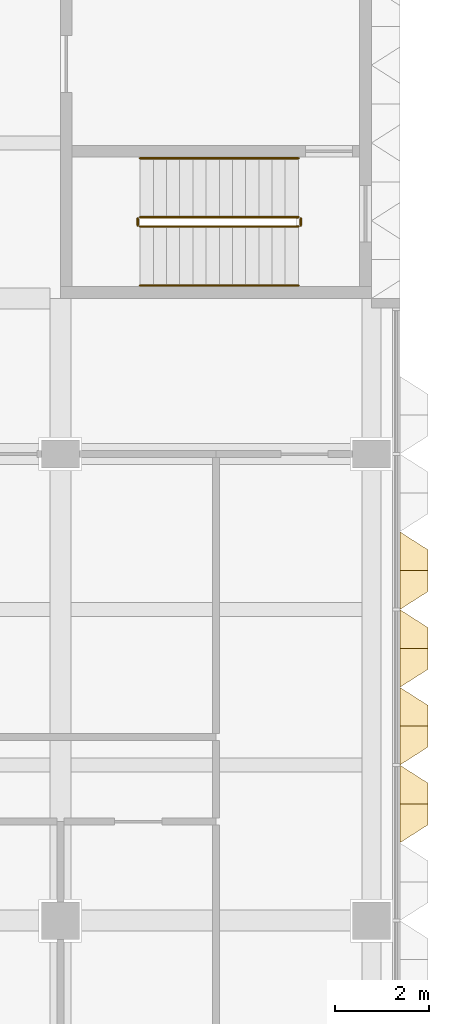
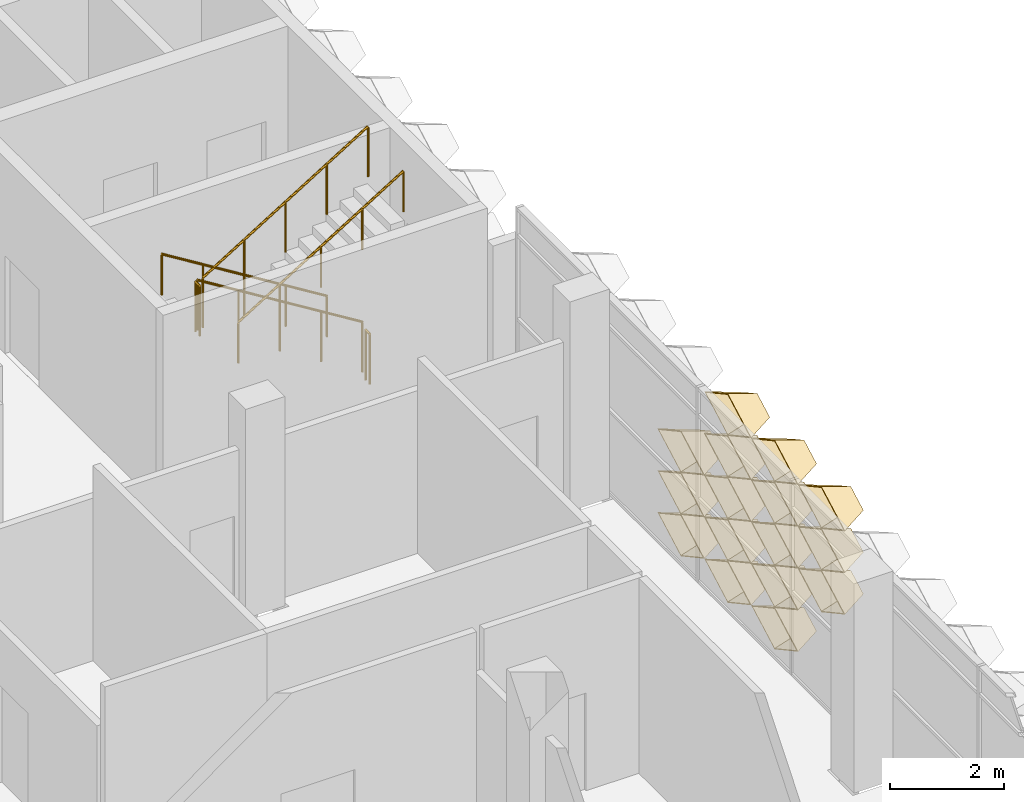
# One storey, part 64 of 85: 16 coverings, 6 railings.
"""IFC4 building model written with IfcOpenShell, lengths in metres."""

import ifcopenshell
import ifcopenshell.guid

model = None  # the IFC model being written
_history = None  # IfcOwnerHistory: only IFC2X3 demands one
_inside = {}  # id of a spatial element -> (the spatial element, [elements in it])
_under = {}  # id of a project, library or spatial element -> (it, [spatial elements below it])
_declared = {}  # id of a project -> (the project, [libraries it declares])
_typed = {}  # id of a type object -> (the type object, [elements of that type])
_made_of = {}  # id of a material, layer set ... -> (it, [elements and type objects made of it])


def new_model(schema):
    """Start an empty IFC model of exactly this schema.

    Asked for "IFC4X3", IfcOpenShell would pick the latest addendum, in which some entities
    have other attributes; the version numbers below select the first issue.
    IFC2X3 requires an IfcOwnerHistory on every rooted entity: one is made here for all.
    """
    global model, _history
    if schema == "IFC4X3":
        model = ifcopenshell.file(schema_version=(4, 3, 0, 0))
    else:
        model = ifcopenshell.file(schema=schema)
    _inside.clear()
    _under.clear()
    _declared.clear()
    _typed.clear()
    _made_of.clear()
    _history = None
    if model.schema == "IFC2X3":
        org = make("IfcOrganization", Name="unknown")
        user = make(
            "IfcPersonAndOrganization",
            ThePerson=make("IfcPerson", FamilyName="unknown"),
            TheOrganization=org,
        )
        app = make(
            "IfcApplication",
            ApplicationDeveloper=org,
            Version="unknown",
            ApplicationFullName="unknown",
            ApplicationIdentifier="unknown",
        )
        _history = make(
            "IfcOwnerHistory",
            OwningUser=user,
            OwningApplication=app,
            ChangeAction="ADDED",
            CreationDate=0,
        )
    return model


def make(cls, **values):
    """One entity of the class cls with the attributes given. An attribute that is None is left unset."""
    return model.create_entity(
        cls, **{name: value for name, value in values.items() if value is not None}
    )


def entity(cls, *values):
    """Any entity or typed value of the class cls, its attributes in the order of the schema. None: left unset."""
    e = model.create_entity(cls)
    for i, value in enumerate(values):
        if value is not None:
            e[i] = value
    return e


def rooted(cls, **values):
    """An entity with a GlobalId (a new one), such as an element, a storey or a relation."""
    return make(cls, GlobalId=ifcopenshell.guid.new(), OwnerHistory=_history, **values)


def si_unit(unit_type, name, prefix=None):
    """IfcSIUnit, for example si_unit("LENGTHUNIT", "METRE", prefix="MILLI")."""
    return make("IfcSIUnit", UnitType=unit_type, Prefix=prefix, Name=name)


def assignment(units):
    """IfcUnitAssignment: the units of a project."""
    return None if units is None else make("IfcUnitAssignment", Units=units)


def point(xyz):
    """IfcCartesianPoint."""
    return None if xyz is None else make("IfcCartesianPoint", Coordinates=xyz)


def direction(xyz):
    """IfcDirection."""
    return None if xyz is None else make("IfcDirection", DirectionRatios=xyz)


def frame(location, z_axis=None, x_axis=None):
    """IfcAxis2Placement3D, a coordinate frame: its origin and axes. An axis left out is left unset."""
    return make(
        "IfcAxis2Placement3D",
        Location=point(location),
        Axis=direction(z_axis),
        RefDirection=direction(x_axis),
    )


def frame_2d(location, x_axis=None):
    """IfcAxis2Placement2D, a coordinate frame in the plane: its origin and x axis."""
    return make(
        "IfcAxis2Placement2D", Location=point(location), RefDirection=direction(x_axis)
    )


def origin():
    """The frame at (0, 0, 0) with its axes left unset."""
    return frame((0.0, 0.0, 0.0))


def origin_2d():
    """The frame at (0, 0) in the plane with its x axis left unset."""
    return frame_2d((0.0, 0.0))


def place(relative_to, where):
    """IfcLocalPlacement: puts the frame where relative to a parent placement (None: the world)."""
    return make(
        "IfcLocalPlacement", PlacementRelTo=relative_to, RelativePlacement=where
    )


def context(
    kind, dimensions, precision=None, world=None, true_north=None, identifier=None
):
    """IfcGeometricRepresentationContext, for example the 3D "Model" context."""
    return make(
        "IfcGeometricRepresentationContext",
        ContextIdentifier=identifier,
        ContextType=kind,
        CoordinateSpaceDimension=dimensions,
        Precision=precision,
        WorldCoordinateSystem=world,
        TrueNorth=true_north,
    )


def subcontext(parent, identifier, kind, view, scale=None):
    """IfcGeometricRepresentationSubContext, for example "Body" below "Model"."""
    return make(
        "IfcGeometricRepresentationSubContext",
        ContextIdentifier=identifier,
        ContextType=kind,
        ParentContext=parent,
        TargetScale=scale,
        TargetView=view,
    )


def project(units=None, contexts=None):
    """IfcProject with its units and contexts."""
    return rooted(
        "IfcProject",
        Name="project",
        RepresentationContexts=contexts,
        UnitsInContext=assignment(units),
    )


def spatial(cls, under=None, at=None, **own):
    """A site, building, storey or space (cls), placed at a placement, below another one or the project."""
    s = rooted(cls, ObjectPlacement=at, **own)
    if under is not None:
        _under.setdefault(under.id(), (under, []))[1].append(s)
    return s


def profile(cls, at=None, kind="AREA", **sizes):
    """A parametric profile (cls). Its sizes go by their IFC names, for example OverallWidth=200.0."""
    return make(cls, ProfileType=kind, Position=at, **sizes)


def circle(**sizes):
    """IfcCircleProfileDef."""
    return profile("IfcCircleProfileDef", **sizes)


def extrude(swept, where, along, depth):
    """IfcExtrudedAreaSolid: the profile swept, set in the frame where, extruded along a direction by depth."""
    return make(
        "IfcExtrudedAreaSolid",
        SweptArea=swept,
        Position=where,
        ExtrudedDirection=direction(along),
        Depth=depth,
    )


def shape(context_of_items, identifier, shape_type, items):
    """IfcShapeRepresentation: the items that make up one representation, for example the "Body"."""
    return make(
        "IfcShapeRepresentation",
        ContextOfItems=context_of_items,
        RepresentationIdentifier=identifier,
        RepresentationType=shape_type,
        Items=items,
    )


def material(Name=None, Category=None):
    """IfcMaterial."""
    return make("IfcMaterial", Name=Name, Category=Category)


def layer(
    of_material, thickness, ventilated=None, Name=None, Category=None, Priority=None
):
    """IfcMaterialLayer: one layer of a wall or slab, of a material (None: an air gap)."""
    return make(
        "IfcMaterialLayer",
        Material=of_material,
        LayerThickness=thickness,
        IsVentilated=ventilated,
        Name=Name,
        Category=Category,
        Priority=Priority,
    )


def layer_set(layers, Name=None):
    """IfcMaterialLayerSet."""
    return make("IfcMaterialLayerSet", MaterialLayers=layers, LayerSetName=Name)


def made_of(thing, what):
    """Note that an element or type object is made of a material, layer set ...; save() writes the relation."""
    if what is not None:
        _made_of.setdefault(what.id(), (what, []))[1].append(thing)
    return thing


def type_object(cls, material=None, **own):
    """A type object (cls), such as IfcWallType, which elements share."""
    return made_of(rooted(cls, **own), material)


def element(
    cls,
    number,
    at=None,
    inside=None,
    cuts=None,
    type_object=None,
    material=None,
    context=None,
    identifier="Body",
    shape_type=None,
    held_by="IfcProductDefinitionShape",
    body=None,
    shapes=None,
    **own,
):
    """One element of the class cls, such as IfcWall. Its Tag is "e" and its number.

    at: its placement. inside: the storey or other place that contains it. cuts: it is an
    opening in that element (IfcRelVoidsElement). A single representation is given by context,
    identifier, shape_type and body (its items); several are given by shapes. held_by: the class
    of the entity that holds the representations. save() writes the other relations.
    """
    e = rooted(cls, Tag="e%d" % number, ObjectPlacement=at, **own)
    if body is not None:
        shapes = [shape(context, identifier, shape_type, body)]
    if shapes is not None:
        e.Representation = make(held_by, Representations=shapes)
    if inside is not None:
        _inside.setdefault(inside.id(), (inside, []))[1].append(e)
    if cuts is not None:
        rooted(
            "IfcRelVoidsElement", RelatingBuildingElement=cuts, RelatedOpeningElement=e
        )
    if type_object is not None:
        _typed.setdefault(type_object.id(), (type_object, []))[1].append(e)
    return made_of(e, material)


def aggregate(whole, parts):
    """IfcRelAggregates: a whole, such as a stair, and the parts it consists of."""
    return rooted("IfcRelAggregates", RelatingObject=whole, RelatedObjects=parts)


def save(model, path):
    """Write the relations noted so far, then the file.

    IfcRelAggregates (storeys below a building ...), IfcRelContainedInSpatialStructure (elements
    in a storey), IfcRelDefinesByType, IfcRelAssociatesMaterial and IfcRelDeclares: one each for
    every whole, place, type object, material and project.
    """
    for whole, parts in _under.values():
        aggregate(whole, parts)
    for where, things in _inside.values():
        rooted(
            "IfcRelContainedInSpatialStructure",
            RelatedElements=things,
            RelatingStructure=where,
        )
    for kind, things in _typed.values():
        rooted("IfcRelDefinesByType", RelatedObjects=things, RelatingType=kind)
    for what, things in _made_of.values():
        rooted("IfcRelAssociatesMaterial", RelatedObjects=things, RelatingMaterial=what)
    for by, libraries in _declared.values():
        rooted("IfcRelDeclares", RelatingContext=by, RelatedDefinitions=libraries)
    model.write(path)


model = new_model("IFC4")

# Units and contexts
model_context = context("Model", 3, precision=1e-05, world=origin(), true_north=direction((0.0, 1.0)))
body_context = subcontext(model_context, "Body", "Model", "MODEL_VIEW")
ifc_project = project(units=[si_unit("LENGTHUNIT", "METRE"), si_unit("AREAUNIT", "SQUARE_METRE"), si_unit("VOLUMEUNIT", "CUBIC_METRE"), si_unit("PLANEANGLEUNIT", "RADIAN"), si_unit("MASSUNIT", "GRAM", prefix="KILO")], contexts=[model_context])

# Site, building, storey
site_placement = place(None, origin())
site = spatial("IfcSite", under=ifc_project, at=site_placement, CompositionType="ELEMENT")
building_placement = place(site_placement, origin())
building = spatial("IfcBuilding", under=site, at=building_placement, Name="Lantern Court Research Institute", CompositionType="ELEMENT")
storey_placement = place(building_placement, frame((0.0, 0.0, 18.89990234375)))
storey = spatial("IfcBuildingStorey", under=building, at=storey_placement, Name="L04", CompositionType="ELEMENT", Elevation=18.89990234375)

# Coverings
ifc_material_1 = material(Name="Anodised aluminium", Category="aluminium")
ifc_layer = layer(ifc_material_1, 0.01611328125)
ifc_layer_set = layer_set([ifc_layer], Name="Anodised aluminium")
covering_type = type_object("IfcCoveringType", Name="Fin cassette 1650 x 900 x 600 aluminium", PredefinedType="CLADDING", material=ifc_layer_set)
covering_1_placement = place(storey_placement, frame((79.800048828125, 4.125, 0.4501953125), z_axis=(1.0, 0.0, 0.0), x_axis=(0.0, 1.0, 0.0)))
cartesian_point_1 = entity("IfcCartesianPoint", [0.824951171875, 0.0])
cartesian_point_2 = entity("IfcCartesianPoint", [0.79150390625, 0.0])
cartesian_point_3 = entity("IfcCartesianPoint", [0.44189453125, 0.0])
cartesian_point_4 = entity("IfcCartesianPoint", [0.43359375, 0.0])
element("IfcCovering", 1, at=covering_1_placement, inside=storey, type_object=covering_type, Name="Fin cassette V5E-L04 1.3", PredefinedType="CLADDING", context=body_context, shape_type="SweptSolid", body=[
    entity("IfcExtrudedAreaSolidTapered", entity("IfcArbitraryProfileDefWithVoids", "AREA", None, entity("IfcPolyline", [cartesian_point_1, entity("IfcCartesianPoint", [0.0, 0.449951171875]), entity("IfcCartesianPoint", [-0.824951171875, 0.0]), entity("IfcCartesianPoint", [0.0, -0.449951171875]), cartesian_point_1]), [entity("IfcPolyline", [cartesian_point_2, entity("IfcCartesianPoint", [0.0, 0.431884765625]), entity("IfcCartesianPoint", [-0.79150390625, 0.0]), entity("IfcCartesianPoint", [0.0, -0.431884765625]), cartesian_point_2])]), entity("IfcAxis2Placement3D", entity("IfcCartesianPoint", [0.0, 0.0, 0.0])), entity("IfcDirection", [0.0, 0.0, 1.0]), 0.60009765625, entity("IfcArbitraryProfileDefWithVoids", "AREA", None, entity("IfcPolyline", [cartesian_point_3, entity("IfcCartesianPoint", [0.0, 0.240966796875]), entity("IfcCartesianPoint", [-0.44189453125, 0.0]), entity("IfcCartesianPoint", [0.0, -0.240966796875]), cartesian_point_3]), [entity("IfcPolyline", [cartesian_point_4, entity("IfcCartesianPoint", [0.0, 0.236572265625]), entity("IfcCartesianPoint", [-0.43359375, 0.0]), entity("IfcCartesianPoint", [0.0, -0.236572265625]), cartesian_point_4])])),
])
covering_2_placement = place(storey_placement, frame((79.800048828125, 5.77490234375, 0.4501953125), z_axis=(1.0, 0.0, 0.0), x_axis=(0.0, 1.0, 0.0)))
cartesian_point_5 = entity("IfcCartesianPoint", [0.824951171875, 0.0])
cartesian_point_6 = entity("IfcCartesianPoint", [0.79150390625, 0.0])
cartesian_point_7 = entity("IfcCartesianPoint", [0.44189453125, 0.0])
cartesian_point_8 = entity("IfcCartesianPoint", [0.43359375, 0.0])
element("IfcCovering", 2, at=covering_2_placement, inside=storey, type_object=covering_type, Name="Fin cassette V5E-L04 1.4", PredefinedType="CLADDING", context=body_context, shape_type="SweptSolid", body=[
    entity("IfcExtrudedAreaSolidTapered", entity("IfcArbitraryProfileDefWithVoids", "AREA", None, entity("IfcPolyline", [cartesian_point_5, entity("IfcCartesianPoint", [0.0, 0.449951171875]), entity("IfcCartesianPoint", [-0.824951171875, 0.0]), entity("IfcCartesianPoint", [0.0, -0.449951171875]), cartesian_point_5]), [entity("IfcPolyline", [cartesian_point_6, entity("IfcCartesianPoint", [0.0, 0.431884765625]), entity("IfcCartesianPoint", [-0.79150390625, 0.0]), entity("IfcCartesianPoint", [0.0, -0.431884765625]), cartesian_point_6])]), entity("IfcAxis2Placement3D", entity("IfcCartesianPoint", [0.0, 0.0, 0.0])), entity("IfcDirection", [0.0, 0.0, 1.0]), 0.60009765625, entity("IfcArbitraryProfileDefWithVoids", "AREA", None, entity("IfcPolyline", [cartesian_point_7, entity("IfcCartesianPoint", [0.0, 0.240966796875]), entity("IfcCartesianPoint", [-0.44189453125, 0.0]), entity("IfcCartesianPoint", [0.0, -0.240966796875]), cartesian_point_7]), [entity("IfcPolyline", [cartesian_point_8, entity("IfcCartesianPoint", [0.0, 0.236572265625]), entity("IfcCartesianPoint", [-0.43359375, 0.0]), entity("IfcCartesianPoint", [0.0, -0.236572265625]), cartesian_point_8])])),
])
covering_3_placement = place(storey_placement, frame((79.800048828125, 7.425048828125, 0.4501953125), z_axis=(1.0, 0.0, 0.0), x_axis=(0.0, 1.0, 0.0)))
cartesian_point_9 = entity("IfcCartesianPoint", [0.824951171875, 0.0])
cartesian_point_10 = entity("IfcCartesianPoint", [0.79150390625, 0.0])
cartesian_point_11 = entity("IfcCartesianPoint", [0.44189453125, 0.0])
cartesian_point_12 = entity("IfcCartesianPoint", [0.43359375, 0.0])
element("IfcCovering", 3, at=covering_3_placement, inside=storey, type_object=covering_type, Name="Fin cassette V5E-L04 1.5", PredefinedType="CLADDING", context=body_context, shape_type="SweptSolid", body=[
    entity("IfcExtrudedAreaSolidTapered", entity("IfcArbitraryProfileDefWithVoids", "AREA", None, entity("IfcPolyline", [cartesian_point_9, entity("IfcCartesianPoint", [0.0, 0.449951171875]), entity("IfcCartesianPoint", [-0.824951171875, 0.0]), entity("IfcCartesianPoint", [0.0, -0.449951171875]), cartesian_point_9]), [entity("IfcPolyline", [cartesian_point_10, entity("IfcCartesianPoint", [0.0, 0.431884765625]), entity("IfcCartesianPoint", [-0.79150390625, 0.0]), entity("IfcCartesianPoint", [0.0, -0.431884765625]), cartesian_point_10])]), entity("IfcAxis2Placement3D", entity("IfcCartesianPoint", [0.0, 0.0, 0.0])), entity("IfcDirection", [0.0, 0.0, 1.0]), 0.60009765625, entity("IfcArbitraryProfileDefWithVoids", "AREA", None, entity("IfcPolyline", [cartesian_point_11, entity("IfcCartesianPoint", [0.0, 0.240966796875]), entity("IfcCartesianPoint", [-0.44189453125, 0.0]), entity("IfcCartesianPoint", [0.0, -0.240966796875]), cartesian_point_11]), [entity("IfcPolyline", [cartesian_point_12, entity("IfcCartesianPoint", [0.0, 0.236572265625]), entity("IfcCartesianPoint", [-0.43359375, 0.0]), entity("IfcCartesianPoint", [0.0, -0.236572265625]), cartesian_point_12])])),
])
covering_4_placement = place(storey_placement, frame((79.800048828125, 4.125, 1.35009765625), z_axis=(1.0, 0.0, 0.0), x_axis=(0.0, 1.0, 0.0)))
cartesian_point_13 = entity("IfcCartesianPoint", [0.824951171875, 0.0])
cartesian_point_14 = entity("IfcCartesianPoint", [0.79150390625, 0.0])
cartesian_point_15 = entity("IfcCartesianPoint", [0.44189453125, 0.0])
cartesian_point_16 = entity("IfcCartesianPoint", [0.43359375, 0.0])
element("IfcCovering", 4, at=covering_4_placement, inside=storey, type_object=covering_type, Name="Fin cassette V5E-L04 2.3", PredefinedType="CLADDING", context=body_context, shape_type="SweptSolid", body=[
    entity("IfcExtrudedAreaSolidTapered", entity("IfcArbitraryProfileDefWithVoids", "AREA", None, entity("IfcPolyline", [cartesian_point_13, entity("IfcCartesianPoint", [0.0, 0.449951171875]), entity("IfcCartesianPoint", [-0.824951171875, 0.0]), entity("IfcCartesianPoint", [0.0, -0.449951171875]), cartesian_point_13]), [entity("IfcPolyline", [cartesian_point_14, entity("IfcCartesianPoint", [0.0, 0.431884765625]), entity("IfcCartesianPoint", [-0.79150390625, 0.0]), entity("IfcCartesianPoint", [0.0, -0.431884765625]), cartesian_point_14])]), entity("IfcAxis2Placement3D", entity("IfcCartesianPoint", [0.0, 0.0, 0.0])), entity("IfcDirection", [0.0, 0.0, 1.0]), 0.60009765625, entity("IfcArbitraryProfileDefWithVoids", "AREA", None, entity("IfcPolyline", [cartesian_point_15, entity("IfcCartesianPoint", [0.0, 0.240966796875]), entity("IfcCartesianPoint", [-0.44189453125, 0.0]), entity("IfcCartesianPoint", [0.0, -0.240966796875]), cartesian_point_15]), [entity("IfcPolyline", [cartesian_point_16, entity("IfcCartesianPoint", [0.0, 0.236572265625]), entity("IfcCartesianPoint", [-0.43359375, 0.0]), entity("IfcCartesianPoint", [0.0, -0.236572265625]), cartesian_point_16])])),
])
covering_5_placement = place(storey_placement, frame((79.800048828125, 5.77490234375, 1.35009765625), z_axis=(1.0, 0.0, 0.0), x_axis=(0.0, 1.0, 0.0)))
cartesian_point_17 = entity("IfcCartesianPoint", [0.824951171875, 0.0])
cartesian_point_18 = entity("IfcCartesianPoint", [0.79150390625, 0.0])
cartesian_point_19 = entity("IfcCartesianPoint", [0.44189453125, 0.0])
cartesian_point_20 = entity("IfcCartesianPoint", [0.43359375, 0.0])
element("IfcCovering", 5, at=covering_5_placement, inside=storey, type_object=covering_type, Name="Fin cassette V5E-L04 2.4", PredefinedType="CLADDING", context=body_context, shape_type="SweptSolid", body=[
    entity("IfcExtrudedAreaSolidTapered", entity("IfcArbitraryProfileDefWithVoids", "AREA", None, entity("IfcPolyline", [cartesian_point_17, entity("IfcCartesianPoint", [0.0, 0.449951171875]), entity("IfcCartesianPoint", [-0.824951171875, 0.0]), entity("IfcCartesianPoint", [0.0, -0.449951171875]), cartesian_point_17]), [entity("IfcPolyline", [cartesian_point_18, entity("IfcCartesianPoint", [0.0, 0.431884765625]), entity("IfcCartesianPoint", [-0.79150390625, 0.0]), entity("IfcCartesianPoint", [0.0, -0.431884765625]), cartesian_point_18])]), entity("IfcAxis2Placement3D", entity("IfcCartesianPoint", [0.0, 0.0, 0.0])), entity("IfcDirection", [0.0, 0.0, 1.0]), 0.60009765625, entity("IfcArbitraryProfileDefWithVoids", "AREA", None, entity("IfcPolyline", [cartesian_point_19, entity("IfcCartesianPoint", [0.0, 0.240966796875]), entity("IfcCartesianPoint", [-0.44189453125, 0.0]), entity("IfcCartesianPoint", [0.0, -0.240966796875]), cartesian_point_19]), [entity("IfcPolyline", [cartesian_point_20, entity("IfcCartesianPoint", [0.0, 0.236572265625]), entity("IfcCartesianPoint", [-0.43359375, 0.0]), entity("IfcCartesianPoint", [0.0, -0.236572265625]), cartesian_point_20])])),
])
covering_6_placement = place(storey_placement, frame((79.800048828125, 7.425048828125, 1.35009765625), z_axis=(1.0, 0.0, 0.0), x_axis=(0.0, 1.0, 0.0)))
cartesian_point_21 = entity("IfcCartesianPoint", [0.824951171875, 0.0])
cartesian_point_22 = entity("IfcCartesianPoint", [0.79150390625, 0.0])
cartesian_point_23 = entity("IfcCartesianPoint", [0.44189453125, 0.0])
cartesian_point_24 = entity("IfcCartesianPoint", [0.43359375, 0.0])
element("IfcCovering", 6, at=covering_6_placement, inside=storey, type_object=covering_type, Name="Fin cassette V5E-L04 2.5", PredefinedType="CLADDING", context=body_context, shape_type="SweptSolid", body=[
    entity("IfcExtrudedAreaSolidTapered", entity("IfcArbitraryProfileDefWithVoids", "AREA", None, entity("IfcPolyline", [cartesian_point_21, entity("IfcCartesianPoint", [0.0, 0.449951171875]), entity("IfcCartesianPoint", [-0.824951171875, 0.0]), entity("IfcCartesianPoint", [0.0, -0.449951171875]), cartesian_point_21]), [entity("IfcPolyline", [cartesian_point_22, entity("IfcCartesianPoint", [0.0, 0.431884765625]), entity("IfcCartesianPoint", [-0.79150390625, 0.0]), entity("IfcCartesianPoint", [0.0, -0.431884765625]), cartesian_point_22])]), entity("IfcAxis2Placement3D", entity("IfcCartesianPoint", [0.0, 0.0, 0.0])), entity("IfcDirection", [0.0, 0.0, 1.0]), 0.60009765625, entity("IfcArbitraryProfileDefWithVoids", "AREA", None, entity("IfcPolyline", [cartesian_point_23, entity("IfcCartesianPoint", [0.0, 0.240966796875]), entity("IfcCartesianPoint", [-0.44189453125, 0.0]), entity("IfcCartesianPoint", [0.0, -0.240966796875]), cartesian_point_23]), [entity("IfcPolyline", [cartesian_point_24, entity("IfcCartesianPoint", [0.0, 0.236572265625]), entity("IfcCartesianPoint", [-0.43359375, 0.0]), entity("IfcCartesianPoint", [0.0, -0.236572265625]), cartesian_point_24])])),
])
covering_7_placement = place(storey_placement, frame((79.800048828125, 2.47509765625, 2.25), z_axis=(1.0, 0.0, 0.0), x_axis=(0.0, 1.0, 0.0)))
cartesian_point_25 = entity("IfcCartesianPoint", [0.824951171875, 0.0])
cartesian_point_26 = entity("IfcCartesianPoint", [0.79150390625, 0.0])
cartesian_point_27 = entity("IfcCartesianPoint", [0.44189453125, 0.0])
cartesian_point_28 = entity("IfcCartesianPoint", [0.43359375, 0.0])
element("IfcCovering", 7, at=covering_7_placement, inside=storey, type_object=covering_type, Name="Fin cassette V5E-L04 3.2", PredefinedType="CLADDING", context=body_context, shape_type="SweptSolid", body=[
    entity("IfcExtrudedAreaSolidTapered", entity("IfcArbitraryProfileDefWithVoids", "AREA", None, entity("IfcPolyline", [cartesian_point_25, entity("IfcCartesianPoint", [0.0, 0.449951171875]), entity("IfcCartesianPoint", [-0.824951171875, 0.0]), entity("IfcCartesianPoint", [0.0, -0.449951171875]), cartesian_point_25]), [entity("IfcPolyline", [cartesian_point_26, entity("IfcCartesianPoint", [0.0, 0.431884765625]), entity("IfcCartesianPoint", [-0.79150390625, 0.0]), entity("IfcCartesianPoint", [0.0, -0.431884765625]), cartesian_point_26])]), entity("IfcAxis2Placement3D", entity("IfcCartesianPoint", [0.0, 0.0, 0.0])), entity("IfcDirection", [0.0, 0.0, 1.0]), 0.60009765625, entity("IfcArbitraryProfileDefWithVoids", "AREA", None, entity("IfcPolyline", [cartesian_point_27, entity("IfcCartesianPoint", [0.0, 0.240966796875]), entity("IfcCartesianPoint", [-0.44189453125, 0.0]), entity("IfcCartesianPoint", [0.0, -0.240966796875]), cartesian_point_27]), [entity("IfcPolyline", [cartesian_point_28, entity("IfcCartesianPoint", [0.0, 0.236572265625]), entity("IfcCartesianPoint", [-0.43359375, 0.0]), entity("IfcCartesianPoint", [0.0, -0.236572265625]), cartesian_point_28])])),
])
covering_8_placement = place(storey_placement, frame((79.800048828125, 4.125, 2.25), z_axis=(1.0, 0.0, 0.0), x_axis=(0.0, 1.0, 0.0)))
cartesian_point_29 = entity("IfcCartesianPoint", [0.824951171875, 0.0])
cartesian_point_30 = entity("IfcCartesianPoint", [0.79150390625, 0.0])
cartesian_point_31 = entity("IfcCartesianPoint", [0.44189453125, 0.0])
cartesian_point_32 = entity("IfcCartesianPoint", [0.43359375, 0.0])
element("IfcCovering", 8, at=covering_8_placement, inside=storey, type_object=covering_type, Name="Fin cassette V5E-L04 3.3", PredefinedType="CLADDING", context=body_context, shape_type="SweptSolid", body=[
    entity("IfcExtrudedAreaSolidTapered", entity("IfcArbitraryProfileDefWithVoids", "AREA", None, entity("IfcPolyline", [cartesian_point_29, entity("IfcCartesianPoint", [0.0, 0.449951171875]), entity("IfcCartesianPoint", [-0.824951171875, 0.0]), entity("IfcCartesianPoint", [0.0, -0.449951171875]), cartesian_point_29]), [entity("IfcPolyline", [cartesian_point_30, entity("IfcCartesianPoint", [0.0, 0.431884765625]), entity("IfcCartesianPoint", [-0.79150390625, 0.0]), entity("IfcCartesianPoint", [0.0, -0.431884765625]), cartesian_point_30])]), entity("IfcAxis2Placement3D", entity("IfcCartesianPoint", [0.0, 0.0, 0.0])), entity("IfcDirection", [0.0, 0.0, 1.0]), 0.60009765625, entity("IfcArbitraryProfileDefWithVoids", "AREA", None, entity("IfcPolyline", [cartesian_point_31, entity("IfcCartesianPoint", [0.0, 0.240966796875]), entity("IfcCartesianPoint", [-0.44189453125, 0.0]), entity("IfcCartesianPoint", [0.0, -0.240966796875]), cartesian_point_31]), [entity("IfcPolyline", [cartesian_point_32, entity("IfcCartesianPoint", [0.0, 0.236572265625]), entity("IfcCartesianPoint", [-0.43359375, 0.0]), entity("IfcCartesianPoint", [0.0, -0.236572265625]), cartesian_point_32])])),
])
covering_9_placement = place(storey_placement, frame((79.800048828125, 5.77490234375, 2.25), z_axis=(1.0, 0.0, 0.0), x_axis=(0.0, 1.0, 0.0)))
cartesian_point_33 = entity("IfcCartesianPoint", [0.824951171875, 0.0])
cartesian_point_34 = entity("IfcCartesianPoint", [0.79150390625, 0.0])
cartesian_point_35 = entity("IfcCartesianPoint", [0.44189453125, 0.0])
cartesian_point_36 = entity("IfcCartesianPoint", [0.43359375, 0.0])
element("IfcCovering", 9, at=covering_9_placement, inside=storey, type_object=covering_type, Name="Fin cassette V5E-L04 3.4", PredefinedType="CLADDING", context=body_context, shape_type="SweptSolid", body=[
    entity("IfcExtrudedAreaSolidTapered", entity("IfcArbitraryProfileDefWithVoids", "AREA", None, entity("IfcPolyline", [cartesian_point_33, entity("IfcCartesianPoint", [0.0, 0.449951171875]), entity("IfcCartesianPoint", [-0.824951171875, 0.0]), entity("IfcCartesianPoint", [0.0, -0.449951171875]), cartesian_point_33]), [entity("IfcPolyline", [cartesian_point_34, entity("IfcCartesianPoint", [0.0, 0.431884765625]), entity("IfcCartesianPoint", [-0.79150390625, 0.0]), entity("IfcCartesianPoint", [0.0, -0.431884765625]), cartesian_point_34])]), entity("IfcAxis2Placement3D", entity("IfcCartesianPoint", [0.0, 0.0, 0.0])), entity("IfcDirection", [0.0, 0.0, 1.0]), 0.60009765625, entity("IfcArbitraryProfileDefWithVoids", "AREA", None, entity("IfcPolyline", [cartesian_point_35, entity("IfcCartesianPoint", [0.0, 0.240966796875]), entity("IfcCartesianPoint", [-0.44189453125, 0.0]), entity("IfcCartesianPoint", [0.0, -0.240966796875]), cartesian_point_35]), [entity("IfcPolyline", [cartesian_point_36, entity("IfcCartesianPoint", [0.0, 0.236572265625]), entity("IfcCartesianPoint", [-0.43359375, 0.0]), entity("IfcCartesianPoint", [0.0, -0.236572265625]), cartesian_point_36])])),
])
covering_10_placement = place(storey_placement, frame((79.800048828125, 7.425048828125, 2.25), z_axis=(1.0, 0.0, 0.0), x_axis=(0.0, 1.0, 0.0)))
cartesian_point_37 = entity("IfcCartesianPoint", [0.824951171875, 0.0])
cartesian_point_38 = entity("IfcCartesianPoint", [0.79150390625, 0.0])
cartesian_point_39 = entity("IfcCartesianPoint", [0.44189453125, 0.0])
cartesian_point_40 = entity("IfcCartesianPoint", [0.43359375, 0.0])
element("IfcCovering", 10, at=covering_10_placement, inside=storey, type_object=covering_type, Name="Fin cassette V5E-L04 3.5", PredefinedType="CLADDING", context=body_context, shape_type="SweptSolid", body=[
    entity("IfcExtrudedAreaSolidTapered", entity("IfcArbitraryProfileDefWithVoids", "AREA", None, entity("IfcPolyline", [cartesian_point_37, entity("IfcCartesianPoint", [0.0, 0.449951171875]), entity("IfcCartesianPoint", [-0.824951171875, 0.0]), entity("IfcCartesianPoint", [0.0, -0.449951171875]), cartesian_point_37]), [entity("IfcPolyline", [cartesian_point_38, entity("IfcCartesianPoint", [0.0, 0.431884765625]), entity("IfcCartesianPoint", [-0.79150390625, 0.0]), entity("IfcCartesianPoint", [0.0, -0.431884765625]), cartesian_point_38])]), entity("IfcAxis2Placement3D", entity("IfcCartesianPoint", [0.0, 0.0, 0.0])), entity("IfcDirection", [0.0, 0.0, 1.0]), 0.60009765625, entity("IfcArbitraryProfileDefWithVoids", "AREA", None, entity("IfcPolyline", [cartesian_point_39, entity("IfcCartesianPoint", [0.0, 0.240966796875]), entity("IfcCartesianPoint", [-0.44189453125, 0.0]), entity("IfcCartesianPoint", [0.0, -0.240966796875]), cartesian_point_39]), [entity("IfcPolyline", [cartesian_point_40, entity("IfcCartesianPoint", [0.0, 0.236572265625]), entity("IfcCartesianPoint", [-0.43359375, 0.0]), entity("IfcCartesianPoint", [0.0, -0.236572265625]), cartesian_point_40])])),
])
covering_11_placement = place(storey_placement, frame((79.800048828125, 2.47509765625, 3.150146484375), z_axis=(1.0, 0.0, 0.0), x_axis=(0.0, 1.0, 0.0)))
cartesian_point_41 = entity("IfcCartesianPoint", [0.824951171875, 0.0])
cartesian_point_42 = entity("IfcCartesianPoint", [0.79150390625, 0.0])
cartesian_point_43 = entity("IfcCartesianPoint", [0.44189453125, 0.0])
cartesian_point_44 = entity("IfcCartesianPoint", [0.43359375, 0.0])
element("IfcCovering", 11, at=covering_11_placement, inside=storey, type_object=covering_type, Name="Fin cassette V5E-L04 4.2", PredefinedType="CLADDING", context=body_context, shape_type="SweptSolid", body=[
    entity("IfcExtrudedAreaSolidTapered", entity("IfcArbitraryProfileDefWithVoids", "AREA", None, entity("IfcPolyline", [cartesian_point_41, entity("IfcCartesianPoint", [0.0, 0.449951171875]), entity("IfcCartesianPoint", [-0.824951171875, 0.0]), entity("IfcCartesianPoint", [0.0, -0.449951171875]), cartesian_point_41]), [entity("IfcPolyline", [cartesian_point_42, entity("IfcCartesianPoint", [0.0, 0.431884765625]), entity("IfcCartesianPoint", [-0.79150390625, 0.0]), entity("IfcCartesianPoint", [0.0, -0.431884765625]), cartesian_point_42])]), entity("IfcAxis2Placement3D", entity("IfcCartesianPoint", [0.0, 0.0, 0.0])), entity("IfcDirection", [0.0, 0.0, 1.0]), 0.60009765625, entity("IfcArbitraryProfileDefWithVoids", "AREA", None, entity("IfcPolyline", [cartesian_point_43, entity("IfcCartesianPoint", [0.0, 0.240966796875]), entity("IfcCartesianPoint", [-0.44189453125, 0.0]), entity("IfcCartesianPoint", [0.0, -0.240966796875]), cartesian_point_43]), [entity("IfcPolyline", [cartesian_point_44, entity("IfcCartesianPoint", [0.0, 0.236572265625]), entity("IfcCartesianPoint", [-0.43359375, 0.0]), entity("IfcCartesianPoint", [0.0, -0.236572265625]), cartesian_point_44])])),
])
covering_12_placement = place(storey_placement, frame((79.800048828125, 4.125, 3.150146484375), z_axis=(1.0, 0.0, 0.0), x_axis=(0.0, 1.0, 0.0)))
cartesian_point_45 = entity("IfcCartesianPoint", [0.824951171875, 0.0])
cartesian_point_46 = entity("IfcCartesianPoint", [0.79150390625, 0.0])
cartesian_point_47 = entity("IfcCartesianPoint", [0.44189453125, 0.0])
cartesian_point_48 = entity("IfcCartesianPoint", [0.43359375, 0.0])
element("IfcCovering", 12, at=covering_12_placement, inside=storey, type_object=covering_type, Name="Fin cassette V5E-L04 4.3", PredefinedType="CLADDING", context=body_context, shape_type="SweptSolid", body=[
    entity("IfcExtrudedAreaSolidTapered", entity("IfcArbitraryProfileDefWithVoids", "AREA", None, entity("IfcPolyline", [cartesian_point_45, entity("IfcCartesianPoint", [0.0, 0.449951171875]), entity("IfcCartesianPoint", [-0.824951171875, 0.0]), entity("IfcCartesianPoint", [0.0, -0.449951171875]), cartesian_point_45]), [entity("IfcPolyline", [cartesian_point_46, entity("IfcCartesianPoint", [0.0, 0.431884765625]), entity("IfcCartesianPoint", [-0.79150390625, 0.0]), entity("IfcCartesianPoint", [0.0, -0.431884765625]), cartesian_point_46])]), entity("IfcAxis2Placement3D", entity("IfcCartesianPoint", [0.0, 0.0, 0.0])), entity("IfcDirection", [0.0, 0.0, 1.0]), 0.60009765625, entity("IfcArbitraryProfileDefWithVoids", "AREA", None, entity("IfcPolyline", [cartesian_point_47, entity("IfcCartesianPoint", [0.0, 0.240966796875]), entity("IfcCartesianPoint", [-0.44189453125, 0.0]), entity("IfcCartesianPoint", [0.0, -0.240966796875]), cartesian_point_47]), [entity("IfcPolyline", [cartesian_point_48, entity("IfcCartesianPoint", [0.0, 0.236572265625]), entity("IfcCartesianPoint", [-0.43359375, 0.0]), entity("IfcCartesianPoint", [0.0, -0.236572265625]), cartesian_point_48])])),
])
covering_13_placement = place(storey_placement, frame((79.800048828125, 5.77490234375, 3.150146484375), z_axis=(1.0, 0.0, 0.0), x_axis=(0.0, 1.0, 0.0)))
cartesian_point_49 = entity("IfcCartesianPoint", [0.824951171875, 0.0])
cartesian_point_50 = entity("IfcCartesianPoint", [0.79150390625, 0.0])
cartesian_point_51 = entity("IfcCartesianPoint", [0.44189453125, 0.0])
cartesian_point_52 = entity("IfcCartesianPoint", [0.43359375, 0.0])
element("IfcCovering", 13, at=covering_13_placement, inside=storey, type_object=covering_type, Name="Fin cassette V5E-L04 4.4", PredefinedType="CLADDING", context=body_context, shape_type="SweptSolid", body=[
    entity("IfcExtrudedAreaSolidTapered", entity("IfcArbitraryProfileDefWithVoids", "AREA", None, entity("IfcPolyline", [cartesian_point_49, entity("IfcCartesianPoint", [0.0, 0.449951171875]), entity("IfcCartesianPoint", [-0.824951171875, 0.0]), entity("IfcCartesianPoint", [0.0, -0.449951171875]), cartesian_point_49]), [entity("IfcPolyline", [cartesian_point_50, entity("IfcCartesianPoint", [0.0, 0.431884765625]), entity("IfcCartesianPoint", [-0.79150390625, 0.0]), entity("IfcCartesianPoint", [0.0, -0.431884765625]), cartesian_point_50])]), entity("IfcAxis2Placement3D", entity("IfcCartesianPoint", [0.0, 0.0, 0.0])), entity("IfcDirection", [0.0, 0.0, 1.0]), 0.60009765625, entity("IfcArbitraryProfileDefWithVoids", "AREA", None, entity("IfcPolyline", [cartesian_point_51, entity("IfcCartesianPoint", [0.0, 0.240966796875]), entity("IfcCartesianPoint", [-0.44189453125, 0.0]), entity("IfcCartesianPoint", [0.0, -0.240966796875]), cartesian_point_51]), [entity("IfcPolyline", [cartesian_point_52, entity("IfcCartesianPoint", [0.0, 0.236572265625]), entity("IfcCartesianPoint", [-0.43359375, 0.0]), entity("IfcCartesianPoint", [0.0, -0.236572265625]), cartesian_point_52])])),
])
covering_14_placement = place(storey_placement, frame((79.800048828125, 2.47509765625, 4.050048828125), z_axis=(1.0, 0.0, 0.0), x_axis=(0.0, 1.0, 0.0)))
cartesian_point_53 = entity("IfcCartesianPoint", [0.824951171875, 0.0])
cartesian_point_54 = entity("IfcCartesianPoint", [0.79150390625, 0.0])
cartesian_point_55 = entity("IfcCartesianPoint", [0.44189453125, 0.0])
cartesian_point_56 = entity("IfcCartesianPoint", [0.43359375, 0.0])
element("IfcCovering", 14, at=covering_14_placement, inside=storey, type_object=covering_type, Name="Fin cassette V5E-L04 5.2", PredefinedType="CLADDING", context=body_context, shape_type="SweptSolid", body=[
    entity("IfcExtrudedAreaSolidTapered", entity("IfcArbitraryProfileDefWithVoids", "AREA", None, entity("IfcPolyline", [cartesian_point_53, entity("IfcCartesianPoint", [0.0, 0.449951171875]), entity("IfcCartesianPoint", [-0.824951171875, 0.0]), entity("IfcCartesianPoint", [0.0, -0.449951171875]), cartesian_point_53]), [entity("IfcPolyline", [cartesian_point_54, entity("IfcCartesianPoint", [0.0, 0.431884765625]), entity("IfcCartesianPoint", [-0.79150390625, 0.0]), entity("IfcCartesianPoint", [0.0, -0.431884765625]), cartesian_point_54])]), entity("IfcAxis2Placement3D", entity("IfcCartesianPoint", [0.0, 0.0, 0.0])), entity("IfcDirection", [0.0, 0.0, 1.0]), 0.60009765625, entity("IfcArbitraryProfileDefWithVoids", "AREA", None, entity("IfcPolyline", [cartesian_point_55, entity("IfcCartesianPoint", [0.0, 0.240966796875]), entity("IfcCartesianPoint", [-0.44189453125, 0.0]), entity("IfcCartesianPoint", [0.0, -0.240966796875]), cartesian_point_55]), [entity("IfcPolyline", [cartesian_point_56, entity("IfcCartesianPoint", [0.0, 0.236572265625]), entity("IfcCartesianPoint", [-0.43359375, 0.0]), entity("IfcCartesianPoint", [0.0, -0.236572265625]), cartesian_point_56])])),
])
covering_15_placement = place(storey_placement, frame((79.800048828125, 4.125, 4.050048828125), z_axis=(1.0, 0.0, 0.0), x_axis=(0.0, 1.0, 0.0)))
cartesian_point_57 = entity("IfcCartesianPoint", [0.824951171875, 0.0])
cartesian_point_58 = entity("IfcCartesianPoint", [0.79150390625, 0.0])
cartesian_point_59 = entity("IfcCartesianPoint", [0.44189453125, 0.0])
cartesian_point_60 = entity("IfcCartesianPoint", [0.43359375, 0.0])
element("IfcCovering", 15, at=covering_15_placement, inside=storey, type_object=covering_type, Name="Fin cassette V5E-L04 5.3", PredefinedType="CLADDING", context=body_context, shape_type="SweptSolid", body=[
    entity("IfcExtrudedAreaSolidTapered", entity("IfcArbitraryProfileDefWithVoids", "AREA", None, entity("IfcPolyline", [cartesian_point_57, entity("IfcCartesianPoint", [0.0, 0.449951171875]), entity("IfcCartesianPoint", [-0.824951171875, 0.0]), entity("IfcCartesianPoint", [0.0, -0.449951171875]), cartesian_point_57]), [entity("IfcPolyline", [cartesian_point_58, entity("IfcCartesianPoint", [0.0, 0.431884765625]), entity("IfcCartesianPoint", [-0.79150390625, 0.0]), entity("IfcCartesianPoint", [0.0, -0.431884765625]), cartesian_point_58])]), entity("IfcAxis2Placement3D", entity("IfcCartesianPoint", [0.0, 0.0, 0.0])), entity("IfcDirection", [0.0, 0.0, 1.0]), 0.60009765625, entity("IfcArbitraryProfileDefWithVoids", "AREA", None, entity("IfcPolyline", [cartesian_point_59, entity("IfcCartesianPoint", [0.0, 0.240966796875]), entity("IfcCartesianPoint", [-0.44189453125, 0.0]), entity("IfcCartesianPoint", [0.0, -0.240966796875]), cartesian_point_59]), [entity("IfcPolyline", [cartesian_point_60, entity("IfcCartesianPoint", [0.0, 0.236572265625]), entity("IfcCartesianPoint", [-0.43359375, 0.0]), entity("IfcCartesianPoint", [0.0, -0.236572265625]), cartesian_point_60])])),
])
covering_16_placement = place(storey_placement, frame((79.800048828125, 5.77490234375, 4.050048828125), z_axis=(1.0, 0.0, 0.0), x_axis=(0.0, 1.0, 0.0)))
cartesian_point_61 = entity("IfcCartesianPoint", [0.824951171875, 0.0])
cartesian_point_62 = entity("IfcCartesianPoint", [0.79150390625, 0.0])
cartesian_point_63 = entity("IfcCartesianPoint", [0.44189453125, 0.0])
cartesian_point_64 = entity("IfcCartesianPoint", [0.43359375, 0.0])
element("IfcCovering", 16, at=covering_16_placement, inside=storey, type_object=covering_type, Name="Fin cassette V5E-L04 5.4", PredefinedType="CLADDING", context=body_context, shape_type="SweptSolid", body=[
    entity("IfcExtrudedAreaSolidTapered", entity("IfcArbitraryProfileDefWithVoids", "AREA", None, entity("IfcPolyline", [cartesian_point_61, entity("IfcCartesianPoint", [0.0, 0.449951171875]), entity("IfcCartesianPoint", [-0.824951171875, 0.0]), entity("IfcCartesianPoint", [0.0, -0.449951171875]), cartesian_point_61]), [entity("IfcPolyline", [cartesian_point_62, entity("IfcCartesianPoint", [0.0, 0.431884765625]), entity("IfcCartesianPoint", [-0.79150390625, 0.0]), entity("IfcCartesianPoint", [0.0, -0.431884765625]), cartesian_point_62])]), entity("IfcAxis2Placement3D", entity("IfcCartesianPoint", [0.0, 0.0, 0.0])), entity("IfcDirection", [0.0, 0.0, 1.0]), 0.60009765625, entity("IfcArbitraryProfileDefWithVoids", "AREA", None, entity("IfcPolyline", [cartesian_point_63, entity("IfcCartesianPoint", [0.0, 0.240966796875]), entity("IfcCartesianPoint", [-0.44189453125, 0.0]), entity("IfcCartesianPoint", [0.0, -0.240966796875]), cartesian_point_63]), [entity("IfcPolyline", [cartesian_point_64, entity("IfcCartesianPoint", [0.0, 0.236572265625]), entity("IfcCartesianPoint", [-0.43359375, 0.0]), entity("IfcCartesianPoint", [0.0, -0.236572265625]), cartesian_point_64])])),
])

# Railings
ifc_material_2 = material(Name="Structural steel S355", Category="steel")
railing_type_1 = type_object("IfcRailingType", Name="Stair guard 1100 steel", PredefinedType="GUARDRAIL", material=ifc_material_2)
railing_1_placement = place(storey_placement, frame((77.64990234375, 14.925048828125, 0.173095703125)))
element("IfcRailing", 17, at=railing_1_placement, inside=storey, type_object=railing_type_1, Name="L04 ST-T2 stair guard 1", PredefinedType="GUARDRAIL", context=body_context, shape_type="SweptSolid", body=[
    extrude(circle(Radius=0.02392578125, at=origin_2d()), frame((0.0, 0.0, 1.076171875), z_axis=(-0.850606129759, 0.0, 0.525803396734), x_axis=(0.0, -1.0, 0.0)), (0.0, 0.0, 1.0), 3.949951171875),
    extrude(circle(Radius=0.02099609375, at=origin_2d()), origin(), (0.0, 0.0, 1.0), 1.052001953125),
    extrude(circle(Radius=0.02099609375, at=origin_2d()), frame((-0.83984375, 0.0, 0.519287109375)), (0.0, 0.0, 1.0), 1.052001953125),
    extrude(circle(Radius=0.02099609375, at=origin_2d()), frame((-1.679931640625, 0.0, 1.03857421875)), (0.0, 0.0, 1.0), 1.052001953125),
    extrude(circle(Radius=0.02099609375, at=origin_2d()), frame((-2.52001953125, 0.0, 1.5576171875)), (0.0, 0.0, 1.0), 1.052001953125),
    extrude(circle(Radius=0.02099609375, at=origin_2d()), frame((-3.35986328125, 0.0, 2.076904296875)), (0.0, 0.0, 1.0), 1.052001953125),
])
railing_2_placement = place(storey_placement, frame((74.239990234375, 14.89990234375, 2.25)))
element("IfcRailing", 18, at=railing_2_placement, inside=storey, type_object=railing_type_1, Name="L04 ST-T2 stair guard 2", PredefinedType="GUARDRAIL", context=body_context, shape_type="SweptSolid", body=[
    extrude(circle(Radius=0.02392578125, at=origin_2d()), frame((0.0, 0.0, 1.076171875), z_axis=(0.0, -1.0, 0.0), x_axis=(1.0, 0.0, 0.0)), (0.0, 0.0, 1.0), 0.14990234375),
    extrude(circle(Radius=0.02099609375, at=origin_2d()), origin(), (0.0, 0.0, 1.0), 1.052001953125),
    extrude(circle(Radius=0.02099609375, at=origin_2d()), frame((0.0, -0.14990234375, 0.0)), (0.0, 0.0, 1.0), 1.052001953125),
])
railing_3_placement = place(storey_placement, frame((74.2900390625, 14.72509765625, 2.423095703125)))
element("IfcRailing", 19, at=railing_3_placement, inside=storey, type_object=railing_type_1, Name="L04 ST-T2 stair guard 3", PredefinedType="GUARDRAIL", context=body_context, shape_type="SweptSolid", body=[
    extrude(circle(Radius=0.02392578125, at=origin_2d()), frame((0.0, 0.0, 1.076171875), z_axis=(0.850606129759, 0.0, 0.525803396734), x_axis=(0.0, 1.0, 0.0)), (0.0, 0.0, 1.0), 3.949951171875),
    extrude(circle(Radius=0.02099609375, at=origin_2d()), origin(), (0.0, 0.0, 1.0), 1.052001953125),
    extrude(circle(Radius=0.02099609375, at=origin_2d()), frame((0.83984375, 0.0, 0.519287109375)), (0.0, 0.0, 1.0), 1.052001953125),
    extrude(circle(Radius=0.02099609375, at=origin_2d()), frame((1.679931640625, 0.0, 1.03857421875)), (0.0, 0.0, 1.0), 1.052001953125),
    extrude(circle(Radius=0.02099609375, at=origin_2d()), frame((2.52001953125, 0.0, 1.5576171875)), (0.0, 0.0, 1.0), 1.052001953125),
    extrude(circle(Radius=0.02099609375, at=origin_2d()), frame((3.35986328125, 0.0, 2.076904296875)), (0.0, 0.0, 1.0), 1.052001953125),
])
railing_4_placement = place(storey_placement, frame((77.699951171875, 14.89990234375, 0.0)))
element("IfcRailing", 20, at=railing_4_placement, inside=storey, type_object=railing_type_1, Name="L04 ST-T2 stair guard 4", PredefinedType="GUARDRAIL", context=body_context, shape_type="SweptSolid", body=[
    extrude(circle(Radius=0.02392578125, at=origin_2d()), frame((0.0, 0.0, 1.076171875), z_axis=(0.0, -1.0, 0.0), x_axis=(1.0, 0.0, 0.0)), (0.0, 0.0, 1.0), 0.14990234375),
    extrude(circle(Radius=0.02099609375, at=origin_2d()), origin(), (0.0, 0.0, 1.0), 1.052001953125),
    extrude(circle(Radius=0.02099609375, at=origin_2d()), frame((0.0, -0.14990234375, 0.0)), (0.0, 0.0, 1.0), 1.052001953125),
])
ifc_material_3 = material(Name="Stainless steel 316", Category="steel")
railing_type_2 = type_object("IfcRailingType", Name="Stair handrail 900 steel", PredefinedType="HANDRAIL", material=ifc_material_3)
railing_5_placement = place(storey_placement, frame((77.64990234375, 16.175048828125, 0.173095703125)))
element("IfcRailing", 21, at=railing_5_placement, inside=storey, type_object=railing_type_2, Name="L04 ST-T2 stair handrail 1", PredefinedType="HANDRAIL", context=body_context, shape_type="SweptSolid", body=[
    extrude(circle(Radius=0.02392578125, at=origin_2d()), frame((0.0, 0.0, 0.8759765625), z_axis=(-0.850606129759, 0.0, 0.525803396734), x_axis=(0.0, -1.0, 0.0)), (0.0, 0.0, 1.0), 3.949951171875),
    extrude(circle(Radius=0.02099609375, at=origin_2d()), origin(), (0.0, 0.0, 1.0), 0.851806640625),
    extrude(circle(Radius=0.02099609375, at=origin_2d()), frame((-0.83984375, 0.0, 0.519287109375)), (0.0, 0.0, 1.0), 0.851806640625),
    extrude(circle(Radius=0.02099609375, at=origin_2d()), frame((-1.679931640625, 0.0, 1.03857421875)), (0.0, 0.0, 1.0), 0.851806640625),
    extrude(circle(Radius=0.02099609375, at=origin_2d()), frame((-2.52001953125, 0.0, 1.5576171875)), (0.0, 0.0, 1.0), 0.851806640625),
    extrude(circle(Radius=0.02099609375, at=origin_2d()), frame((-3.35986328125, 0.0, 2.076904296875)), (0.0, 0.0, 1.0), 0.851806640625),
])
railing_6_placement = place(storey_placement, frame((74.2900390625, 13.47509765625, 2.423095703125)))
element("IfcRailing", 22, at=railing_6_placement, inside=storey, type_object=railing_type_2, Name="L04 ST-T2 stair handrail 2", PredefinedType="HANDRAIL", context=body_context, shape_type="SweptSolid", body=[
    extrude(circle(Radius=0.02392578125, at=origin_2d()), frame((0.0, 0.0, 0.8759765625), z_axis=(0.850606129759, 0.0, 0.525803396734), x_axis=(0.0, 1.0, 0.0)), (0.0, 0.0, 1.0), 3.949951171875),
    extrude(circle(Radius=0.02099609375, at=origin_2d()), origin(), (0.0, 0.0, 1.0), 0.851806640625),
    extrude(circle(Radius=0.02099609375, at=origin_2d()), frame((0.83984375, 0.0, 0.519287109375)), (0.0, 0.0, 1.0), 0.851806640625),
    extrude(circle(Radius=0.02099609375, at=origin_2d()), frame((1.679931640625, 0.0, 1.03857421875)), (0.0, 0.0, 1.0), 0.851806640625),
    extrude(circle(Radius=0.02099609375, at=origin_2d()), frame((2.52001953125, 0.0, 1.5576171875)), (0.0, 0.0, 1.0), 0.851806640625),
    extrude(circle(Radius=0.02099609375, at=origin_2d()), frame((3.35986328125, 0.0, 2.076904296875)), (0.0, 0.0, 1.0), 0.851806640625),
])

save(model, "model.ifc")
